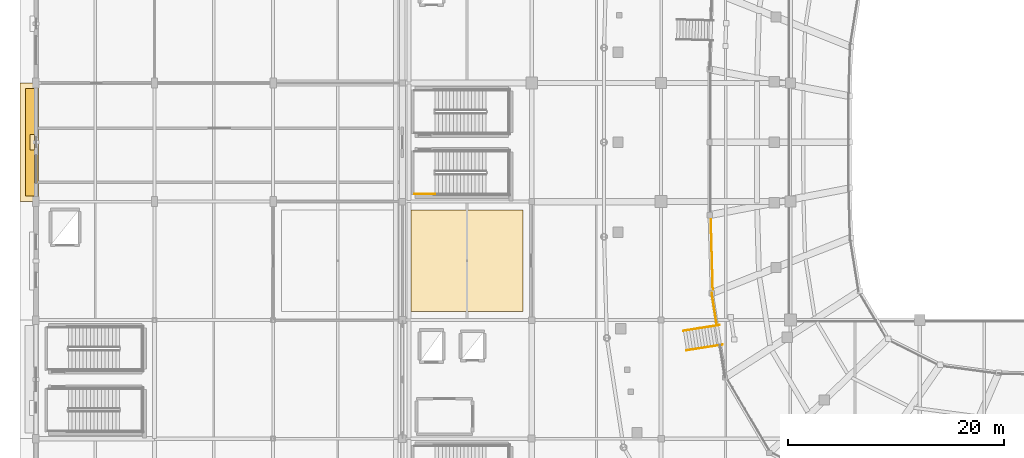
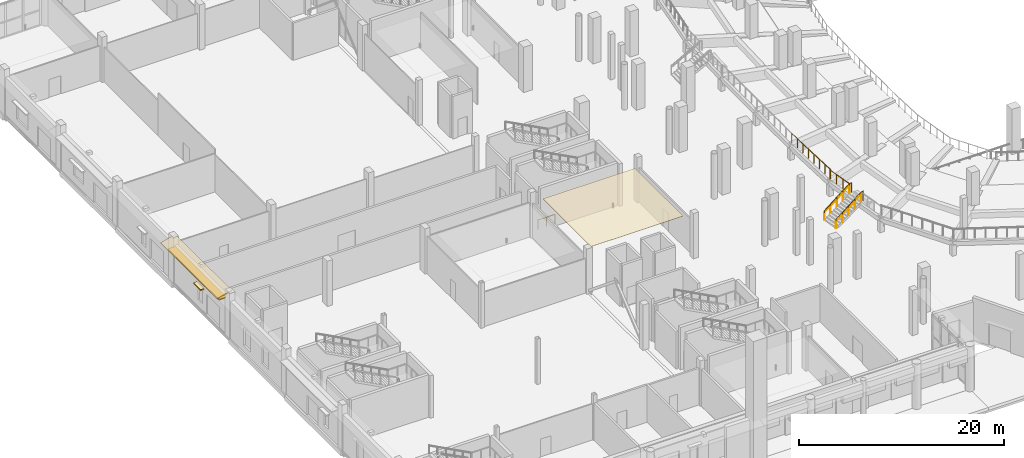
# One storey, part 99 of 120: 7 railings, 3 coverings, 1 shading device.
"""IFC4 building model written with IfcOpenShell, lengths in metres."""

import ifcopenshell
import ifcopenshell.guid

model = None  # the IFC model being written
_history = None  # IfcOwnerHistory: only IFC2X3 demands one
_inside = {}  # id of a spatial element -> (the spatial element, [elements in it])
_under = {}  # id of a project, library or spatial element -> (it, [spatial elements below it])
_declared = {}  # id of a project -> (the project, [libraries it declares])
_typed = {}  # id of a type object -> (the type object, [elements of that type])
_made_of = {}  # id of a material, layer set ... -> (it, [elements and type objects made of it])


def new_model(schema):
    """Start an empty IFC model of exactly this schema.

    Asked for "IFC4X3", IfcOpenShell would pick the latest addendum, in which some entities
    have other attributes; the version numbers below select the first issue.
    IFC2X3 requires an IfcOwnerHistory on every rooted entity: one is made here for all.
    """
    global model, _history
    if schema == "IFC4X3":
        model = ifcopenshell.file(schema_version=(4, 3, 0, 0))
    else:
        model = ifcopenshell.file(schema=schema)
    _inside.clear()
    _under.clear()
    _declared.clear()
    _typed.clear()
    _made_of.clear()
    _history = None
    if model.schema == "IFC2X3":
        org = make("IfcOrganization", Name="unknown")
        user = make(
            "IfcPersonAndOrganization",
            ThePerson=make("IfcPerson", FamilyName="unknown"),
            TheOrganization=org,
        )
        app = make(
            "IfcApplication",
            ApplicationDeveloper=org,
            Version="unknown",
            ApplicationFullName="unknown",
            ApplicationIdentifier="unknown",
        )
        _history = make(
            "IfcOwnerHistory",
            OwningUser=user,
            OwningApplication=app,
            ChangeAction="ADDED",
            CreationDate=0,
        )
    return model


def make(cls, **values):
    """One entity of the class cls with the attributes given. An attribute that is None is left unset."""
    return model.create_entity(
        cls, **{name: value for name, value in values.items() if value is not None}
    )


def rooted(cls, **values):
    """An entity with a GlobalId (a new one), such as an element, a storey or a relation."""
    return make(cls, GlobalId=ifcopenshell.guid.new(), OwnerHistory=_history, **values)


def si_unit(unit_type, name, prefix=None):
    """IfcSIUnit, for example si_unit("LENGTHUNIT", "METRE", prefix="MILLI")."""
    return make("IfcSIUnit", UnitType=unit_type, Prefix=prefix, Name=name)


def assignment(units):
    """IfcUnitAssignment: the units of a project."""
    return None if units is None else make("IfcUnitAssignment", Units=units)


def point(xyz):
    """IfcCartesianPoint."""
    return None if xyz is None else make("IfcCartesianPoint", Coordinates=xyz)


def direction(xyz):
    """IfcDirection."""
    return None if xyz is None else make("IfcDirection", DirectionRatios=xyz)


def frame(location, z_axis=None, x_axis=None):
    """IfcAxis2Placement3D, a coordinate frame: its origin and axes. An axis left out is left unset."""
    return make(
        "IfcAxis2Placement3D",
        Location=point(location),
        Axis=direction(z_axis),
        RefDirection=direction(x_axis),
    )


def frame_2d(location, x_axis=None):
    """IfcAxis2Placement2D, a coordinate frame in the plane: its origin and x axis."""
    return make(
        "IfcAxis2Placement2D", Location=point(location), RefDirection=direction(x_axis)
    )


def origin():
    """The frame at (0, 0, 0) with its axes left unset."""
    return frame((0.0, 0.0, 0.0))


def origin_2d():
    """The frame at (0, 0) in the plane with its x axis left unset."""
    return frame_2d((0.0, 0.0))


def place(relative_to, where):
    """IfcLocalPlacement: puts the frame where relative to a parent placement (None: the world)."""
    return make(
        "IfcLocalPlacement", PlacementRelTo=relative_to, RelativePlacement=where
    )


def context(
    kind, dimensions, precision=None, world=None, true_north=None, identifier=None
):
    """IfcGeometricRepresentationContext, for example the 3D "Model" context."""
    return make(
        "IfcGeometricRepresentationContext",
        ContextIdentifier=identifier,
        ContextType=kind,
        CoordinateSpaceDimension=dimensions,
        Precision=precision,
        WorldCoordinateSystem=world,
        TrueNorth=true_north,
    )


def subcontext(parent, identifier, kind, view, scale=None):
    """IfcGeometricRepresentationSubContext, for example "Body" below "Model"."""
    return make(
        "IfcGeometricRepresentationSubContext",
        ContextIdentifier=identifier,
        ContextType=kind,
        ParentContext=parent,
        TargetScale=scale,
        TargetView=view,
    )


def project(units=None, contexts=None):
    """IfcProject with its units and contexts."""
    return rooted(
        "IfcProject",
        Name="project",
        RepresentationContexts=contexts,
        UnitsInContext=assignment(units),
    )


def spatial(cls, under=None, at=None, **own):
    """A site, building, storey or space (cls), placed at a placement, below another one or the project."""
    s = rooted(cls, ObjectPlacement=at, **own)
    if under is not None:
        _under.setdefault(under.id(), (under, []))[1].append(s)
    return s


def polyline(points):
    """IfcPolyline through the points."""
    return make("IfcPolyline", Points=[point(p) for p in points])


def profile(cls, at=None, kind="AREA", **sizes):
    """A parametric profile (cls). Its sizes go by their IFC names, for example OverallWidth=200.0."""
    return make(cls, ProfileType=kind, Position=at, **sizes)


def rectangle(**sizes):
    """IfcRectangleProfileDef."""
    return profile("IfcRectangleProfileDef", **sizes)


def circle(**sizes):
    """IfcCircleProfileDef."""
    return profile("IfcCircleProfileDef", **sizes)


def outline(outer, holes=None, kind="AREA"):
    """IfcArbitraryClosedProfileDef: a profile drawn as a closed curve; with holes, ...WithVoids."""
    if holes is None:
        return make("IfcArbitraryClosedProfileDef", ProfileType=kind, OuterCurve=outer)
    return make(
        "IfcArbitraryProfileDefWithVoids",
        ProfileType=kind,
        OuterCurve=outer,
        InnerCurves=holes,
    )


def extrude(swept, where, along, depth):
    """IfcExtrudedAreaSolid: the profile swept, set in the frame where, extruded along a direction by depth."""
    return make(
        "IfcExtrudedAreaSolid",
        SweptArea=swept,
        Position=where,
        ExtrudedDirection=direction(along),
        Depth=depth,
    )


def shape(context_of_items, identifier, shape_type, items):
    """IfcShapeRepresentation: the items that make up one representation, for example the "Body"."""
    return make(
        "IfcShapeRepresentation",
        ContextOfItems=context_of_items,
        RepresentationIdentifier=identifier,
        RepresentationType=shape_type,
        Items=items,
    )


def material(Name=None, Category=None):
    """IfcMaterial."""
    return make("IfcMaterial", Name=Name, Category=Category)


def layer(
    of_material, thickness, ventilated=None, Name=None, Category=None, Priority=None
):
    """IfcMaterialLayer: one layer of a wall or slab, of a material (None: an air gap)."""
    return make(
        "IfcMaterialLayer",
        Material=of_material,
        LayerThickness=thickness,
        IsVentilated=ventilated,
        Name=Name,
        Category=Category,
        Priority=Priority,
    )


def layer_set(layers, Name=None):
    """IfcMaterialLayerSet."""
    return make("IfcMaterialLayerSet", MaterialLayers=layers, LayerSetName=Name)


def made_of(thing, what):
    """Note that an element or type object is made of a material, layer set ...; save() writes the relation."""
    if what is not None:
        _made_of.setdefault(what.id(), (what, []))[1].append(thing)
    return thing


def type_object(cls, material=None, **own):
    """A type object (cls), such as IfcWallType, which elements share."""
    return made_of(rooted(cls, **own), material)


def element(
    cls,
    number,
    at=None,
    inside=None,
    cuts=None,
    type_object=None,
    material=None,
    context=None,
    identifier="Body",
    shape_type=None,
    held_by="IfcProductDefinitionShape",
    body=None,
    shapes=None,
    **own,
):
    """One element of the class cls, such as IfcWall. Its Tag is "e" and its number.

    at: its placement. inside: the storey or other place that contains it. cuts: it is an
    opening in that element (IfcRelVoidsElement). A single representation is given by context,
    identifier, shape_type and body (its items); several are given by shapes. held_by: the class
    of the entity that holds the representations. save() writes the other relations.
    """
    e = rooted(cls, Tag="e%d" % number, ObjectPlacement=at, **own)
    if body is not None:
        shapes = [shape(context, identifier, shape_type, body)]
    if shapes is not None:
        e.Representation = make(held_by, Representations=shapes)
    if inside is not None:
        _inside.setdefault(inside.id(), (inside, []))[1].append(e)
    if cuts is not None:
        rooted(
            "IfcRelVoidsElement", RelatingBuildingElement=cuts, RelatedOpeningElement=e
        )
    if type_object is not None:
        _typed.setdefault(type_object.id(), (type_object, []))[1].append(e)
    return made_of(e, material)


def aggregate(whole, parts):
    """IfcRelAggregates: a whole, such as a stair, and the parts it consists of."""
    return rooted("IfcRelAggregates", RelatingObject=whole, RelatedObjects=parts)


def save(model, path):
    """Write the relations noted so far, then the file.

    IfcRelAggregates (storeys below a building ...), IfcRelContainedInSpatialStructure (elements
    in a storey), IfcRelDefinesByType, IfcRelAssociatesMaterial and IfcRelDeclares: one each for
    every whole, place, type object, material and project.
    """
    for whole, parts in _under.values():
        aggregate(whole, parts)
    for where, things in _inside.values():
        rooted(
            "IfcRelContainedInSpatialStructure",
            RelatedElements=things,
            RelatingStructure=where,
        )
    for kind, things in _typed.values():
        rooted("IfcRelDefinesByType", RelatedObjects=things, RelatingType=kind)
    for what, things in _made_of.values():
        rooted("IfcRelAssociatesMaterial", RelatedObjects=things, RelatingMaterial=what)
    for by, libraries in _declared.values():
        rooted("IfcRelDeclares", RelatingContext=by, RelatedDefinitions=libraries)
    model.write(path)


model = new_model("IFC4")

# Units and contexts
model_context = context("Model", 3, precision=1e-05, world=origin(), true_north=direction((0.0, 1.0)))
body_context = subcontext(model_context, "Body", "Model", "MODEL_VIEW")
ifc_project = project(units=[si_unit("LENGTHUNIT", "METRE"), si_unit("AREAUNIT", "SQUARE_METRE"), si_unit("VOLUMEUNIT", "CUBIC_METRE"), si_unit("PLANEANGLEUNIT", "RADIAN"), si_unit("MASSUNIT", "GRAM", prefix="KILO")], contexts=[model_context])

# Site, building, storey
site_placement = place(None, origin())
site = spatial("IfcSite", under=ifc_project, at=site_placement, CompositionType="ELEMENT")
building_placement = place(site_placement, origin())
building = spatial("IfcBuilding", under=site, at=building_placement, Name="Luwafu Chhajja Arena", CompositionType="ELEMENT")
storey_placement = place(building_placement, origin())
storey = spatial("IfcBuildingStorey", under=building, at=storey_placement, Name="L00", CompositionType="ELEMENT", Elevation=0.0)

# Railings
ifc_material_1 = material(Name="Stainless steel balustrade", Category="steel")
railing_type_1 = type_object("IfcRailingType", Name="Atrium Void Glazed Balustrade 1150", PredefinedType="BALUSTRADE", material=ifc_material_1)
railing_1_placement = place(storey_placement, frame((60.360107421875, 30.19140625, 0.0)))
element("IfcRailing", 1, at=railing_1_placement, inside=storey, type_object=railing_type_1, Name="L00 Vomitory VM-05 Guard L", PredefinedType="BALUSTRADE", context=body_context, shape_type="SweptSolid", body=[
    extrude(circle(Radius=0.02392578125, at=origin_2d()), frame((0.0, 0.0, 1.1259765625), z_axis=(0.851506711029, 0.133553936446, 0.507049965125), x_axis=(-0.15494994154, 0.987922322663, 0.0)), (0.0, 0.0, 1.0), 3.648681640625),
    extrude(circle(Radius=0.02392578125, at=origin_2d()), frame((3.10693359375, 0.4873046875, 2.97607421875), z_axis=(0.98803064077, 0.154257748263, 0.0), x_axis=(-0.154257748263, 0.98803064077, 0.0)), (0.0, 0.0, 1.0), 0.25),
    extrude(circle(Radius=0.02099609375, at=origin_2d()), origin(), (0.0, 0.0, 1.0), 1.101806640625),
    extrude(circle(Radius=0.02099609375, at=origin_2d()), frame((0.77685546875, 0.121826171875, 0.46240234375)), (0.0, 0.0, 1.0), 1.101806640625),
    extrude(circle(Radius=0.02099609375, at=origin_2d()), frame((1.553466796875, 0.24365234375, 0.925048828125)), (0.0, 0.0, 1.0), 1.101806640625),
    extrude(circle(Radius=0.02099609375, at=origin_2d()), frame((2.330078125, 0.365478515625, 1.3876953125)), (0.0, 0.0, 1.0), 1.101806640625),
    extrude(circle(Radius=0.02099609375, at=origin_2d()), frame((3.10693359375, 0.4873046875, 1.85009765625)), (0.0, 0.0, 1.0), 1.101806640625),
    extrude(circle(Radius=0.02099609375, at=origin_2d()), frame((3.35400390625, 0.52587890625, 1.85009765625)), (0.0, 0.0, 1.0), 1.101806640625),
])
railing_2_placement = place(storey_placement, frame((60.0751953125, 32.00927734375, 0.0)))
element("IfcRailing", 2, at=railing_2_placement, inside=storey, type_object=railing_type_1, Name="L00 Vomitory VM-05 Guard R", PredefinedType="BALUSTRADE", context=body_context, shape_type="SweptSolid", body=[
    extrude(circle(Radius=0.02392578125, at=origin_2d()), frame((0.0, 0.0, 1.1259765625), z_axis=(0.851506711029, 0.133553936446, 0.507049965125), x_axis=(-0.15494994154, 0.987922322663, 0.0)), (0.0, 0.0, 1.0), 3.648681640625),
    extrude(circle(Radius=0.02392578125, at=origin_2d()), frame((3.10693359375, 0.4873046875, 2.97607421875), z_axis=(0.988007375258, 0.154406691682, 0.0), x_axis=(-0.154406691682, 0.988007375258, 0.0)), (0.0, 0.0, 1.0), 0.249755859375),
    extrude(circle(Radius=0.02099609375, at=origin_2d()), origin(), (0.0, 0.0, 1.0), 1.101806640625),
    extrude(circle(Radius=0.02099609375, at=origin_2d()), frame((0.77685546875, 0.121826171875, 0.46240234375)), (0.0, 0.0, 1.0), 1.101806640625),
    extrude(circle(Radius=0.02099609375, at=origin_2d()), frame((1.553466796875, 0.24365234375, 0.925048828125)), (0.0, 0.0, 1.0), 1.101806640625),
    extrude(circle(Radius=0.02099609375, at=origin_2d()), frame((2.330078125, 0.365478515625, 1.3876953125)), (0.0, 0.0, 1.0), 1.101806640625),
    extrude(circle(Radius=0.02099609375, at=origin_2d()), frame((3.10693359375, 0.4873046875, 1.85009765625)), (0.0, 0.0, 1.0), 1.101806640625),
    extrude(circle(Radius=0.02099609375, at=origin_2d()), frame((3.353759765625, 0.52587890625, 1.85009765625)), (0.0, 0.0, 1.0), 1.101806640625),
])
railing_3_placement = place(storey_placement, frame((63.18212890625, 32.49658203125, 1.85009765625)))
element("IfcRailing", 3, at=railing_3_placement, inside=storey, type_object=railing_type_1, Name="L00 Vomitory VM-05 Wing Guard R", PredefinedType="BALUSTRADE", context=body_context, shape_type="SweptSolid", body=[
    extrude(circle(Radius=0.02392578125, at=origin_2d()), frame((0.0, 0.0, 1.1259765625), z_axis=(-0.154996984564, 0.987914943088, 0.0), x_axis=(-0.987914943088, -0.154996984564, 0.0)), (0.0, 0.0, 1.0), 3.038330078125),
    extrude(circle(Radius=0.02099609375, at=origin_2d()), origin(), (0.0, 0.0, 1.0), 1.101806640625),
    extrude(circle(Radius=0.02099609375, at=origin_2d()), frame((-0.156982421875, 1.00048828125, 0.0)), (0.0, 0.0, 1.0), 1.101806640625),
    extrude(circle(Radius=0.02099609375, at=origin_2d()), frame((-0.31396484375, 2.001220703125, 0.0)), (0.0, 0.0, 1.0), 1.101806640625),
    extrude(circle(Radius=0.02099609375, at=origin_2d()), frame((-0.470947265625, 3.001708984375, 0.0)), (0.0, 0.0, 1.0), 1.101806640625),
])

# Coverings
ifc_material_2 = material(Name="Red laterite sandstone cladding", Category="masonry")
ifc_layer_1 = layer(ifc_material_2, 0.074951171875, Name="Red laterite sandstone cladding")
ifc_layer_set_1 = layer_set([ifc_layer_1], Name="Red laterite sandstone cladding")
covering_type_1 = type_object("IfcCoveringType", Name="Dressed Red-Laterite Sandstone Cladding", PredefinedType="CLADDING", material=ifc_layer_set_1)
covering_1_placement = place(storey_placement, frame((0.199951171875, 44.0, 5.360107421875), z_axis=(-0.242635142566, 0.0, 0.970117615339), x_axis=(0.0, 1.0, 0.0)))
element("IfcCovering", 4, at=covering_1_placement, inside=storey, type_object=covering_type_1, Name="L00 Continuous Sloped Sandstone Chhajja Eave 0006", PredefinedType="CLADDING", context=body_context, shape_type="SweptSolid", body=[
    extrude(outline(polyline([(0.0, 0.0), (11.0, 0.0), (11.0, 1.7316783182390405), (0.0, 1.7316783182390405), (0.0, 0.0)])), origin(), (0.0, 0.0, -1.0), 0.1298828125),
])
covering_2_placement = place(storey_placement, frame((-0.340087890625, 49.5, 2.6298828125), z_axis=(0.0, 0.0, 1.0), x_axis=(0.0, 1.0, 0.0)))
element("IfcCovering", 5, at=covering_2_placement, inside=storey, type_object=covering_type_1, Name="L00 Mughal Sandstone Window Chhajja Hood 0145", PredefinedType="CLADDING", context=body_context, shape_type="SweptSolid", body=[
    extrude(rectangle(XDim=1.39990234375, YDim=0.419921875, at=origin_2d()), origin(), (0.0, 0.0, 1.0), 0.139892578125),
])
ifc_material_3 = material(Name="Acoustic gypsum ceiling board")
ifc_layer_2 = layer(ifc_material_3, 0.0400390625, Name="Acoustic gypsum ceiling board")
ifc_layer_set_2 = layer_set([ifc_layer_2], Name="Acoustic gypsum ceiling board")
covering_type_2 = type_object("IfcCoveringType", Name="Perforated Acoustic Baffle Ceiling", PredefinedType="CEILING", material=ifc_layer_set_2)
covering_3_placement = place(storey_placement, frame((0.0, 0.0, 4.581298828125)))
element("IfcCovering", 6, at=covering_3_placement, inside=storey, type_object=covering_type_2, Name="L00 Acoustic Baffle Ceiling 005", PredefinedType="CEILING", context=body_context, shape_type="SweptSolid", body=[
    extrude(outline(polyline([(34.800048828125, 33.800048828125), (45.199951171875, 33.800048828125), (45.199951171875, 43.199951171875), (34.800048828125, 43.199951171875), (34.800048828125, 33.800048828125)])), origin(), (0.0, 0.0, 1.0), 0.0400390625),
])

# Railing
railing_type_2 = type_object("IfcRailingType", Name="Seating Bowl Sightline Barrier 1100", PredefinedType="BALUSTRADE", material=ifc_material_1)
railing_4_placement = place(storey_placement, frame((62.60986328125, 42.7587890625, 1.85009765625)))
element("IfcRailing", 7, at=railing_4_placement, inside=storey, type_object=railing_type_2, Name="L00 Lower Tier Rear Barrier 0110", PredefinedType="BALUSTRADE", context=body_context, shape_type="SweptSolid", body=[
    extrude(circle(Radius=0.02392578125, at=origin_2d()), frame((0.0, 0.0, 1.09619140625), z_axis=(0.027820548658, -0.999612933626, 0.0), x_axis=(0.999612933626, 0.027820548658, 0.0)), (0.0, 0.0, 1.0), 7.22216796875),
    extrude(circle(Radius=0.02099609375, at=origin_2d()), origin(), (0.0, 0.0, 1.0), 1.072021484375),
    extrude(circle(Radius=0.02099609375, at=origin_2d()), frame((0.02880859375, -1.03125, 0.0)), (0.0, 0.0, 1.0), 1.072021484375),
    extrude(circle(Radius=0.02099609375, at=origin_2d()), frame((0.057373046875, -2.062744140625, 0.0)), (0.0, 0.0, 1.0), 1.072021484375),
    extrude(circle(Radius=0.02099609375, at=origin_2d()), frame((0.086181640625, -3.093994140625, 0.0)), (0.0, 0.0, 1.0), 1.072021484375),
    extrude(circle(Radius=0.02099609375, at=origin_2d()), frame((0.11474609375, -4.12548828125, 0.0)), (0.0, 0.0, 1.0), 1.072021484375),
    extrude(circle(Radius=0.02099609375, at=origin_2d()), frame((0.1435546875, -5.15673828125, 0.0)), (0.0, 0.0, 1.0), 1.072021484375),
    extrude(circle(Radius=0.02099609375, at=origin_2d()), frame((0.172119140625, -6.188232421875, 0.0)), (0.0, 0.0, 1.0), 1.072021484375),
    extrude(circle(Radius=0.02099609375, at=origin_2d()), frame((0.200927734375, -7.219482421875, 0.0)), (0.0, 0.0, 1.0), 1.072021484375),
])

# Shading device
ifc_material_4 = material(Name="Red laterite sandstone chhajja", Category="masonry")
ifc_layer_3 = layer(ifc_material_4, 0.1201171875, Name="Red laterite sandstone chhajja")
ifc_layer_set_3 = layer_set([ifc_layer_3], Name="Red laterite sandstone chhajja")
shading_device_type = type_object("IfcShadingDeviceType", Name="Sloped Red-Sandstone Chhajja Eave", PredefinedType="USERDEFINED", material=ifc_layer_set_3)
shading_device_placement = place(storey_placement, frame((-0.5400390625, 49.5, 4.22998046875), z_axis=(0.0, 0.0, 1.0), x_axis=(0.0, 1.0, 0.0)))
element("IfcShadingDevice", 8, at=shading_device_placement, inside=storey, type_object=shading_device_type, Name="L00 Sloped Red-Sandstone Chhajja Eave 004", ObjectType="CHHAJJA", PredefinedType="USERDEFINED", context=body_context, shape_type="SweptSolid", body=[
    extrude(rectangle(XDim=9.9599609375, YDim=0.820068359375, at=origin_2d()), origin(), (0.0, 0.0, 1.0), 0.1201171875),
])

# Railings
ifc_material_5 = material(Name="Stainless steel handrail", Category="steel")
railing_type_3 = type_object("IfcRailingType", Name="Stair Pitch Wall Handrail 920", PredefinedType="HANDRAIL", material=ifc_material_5)
for number, where, name in (
    (9, (60.360107421875, 30.19140625, 0.0), "L00 Vomitory VM-05 Handrail L"),
    (10, (60.0751953125, 32.00927734375, 0.0), "L00 Vomitory VM-05 Handrail R"),
):
    element("IfcRailing", number, at=place(storey_placement, frame(where)), inside=storey, type_object=railing_type_3, Name=name, PredefinedType="HANDRAIL", context=body_context, shape_type="SweptSolid", body=[
        extrude(circle(Radius=0.02392578125, at=origin_2d()), frame((0.0, 0.0, 0.89599609375), z_axis=(0.851506711029, 0.133553936446, 0.507049965125), x_axis=(-0.15494994154, 0.987922322663, 0.0)), (0.0, 0.0, 1.0), 3.648681640625),
        extrude(circle(Radius=0.02099609375, at=origin_2d()), origin(), (0.0, 0.0, 1.0), 0.871826171875),
        extrude(circle(Radius=0.02099609375, at=origin_2d()), frame((0.77685546875, 0.121826171875, 0.46240234375)), (0.0, 0.0, 1.0), 0.871826171875),
        extrude(circle(Radius=0.02099609375, at=origin_2d()), frame((1.553466796875, 0.24365234375, 0.925048828125)), (0.0, 0.0, 1.0), 0.871826171875),
        extrude(circle(Radius=0.02099609375, at=origin_2d()), frame((2.330078125, 0.365478515625, 1.3876953125)), (0.0, 0.0, 1.0), 0.871826171875),
        extrude(circle(Radius=0.02099609375, at=origin_2d()), frame((3.10693359375, 0.4873046875, 1.85009765625)), (0.0, 0.0, 1.0), 0.871826171875),
    ])
railing_type_4 = type_object("IfcRailingType", Name="Stair and Terrace Guard Balustrade 1100", PredefinedType="BALUSTRADE", material=ifc_material_1)
railing_5_placement = place(storey_placement, frame((35.10009765625, 44.699951171875, 0.0)))
element("IfcRailing", 11, at=railing_5_placement, inside=storey, type_object=railing_type_4, Name="L00 ST-09 stair guard 8", PredefinedType="BALUSTRADE", context=body_context, shape_type="SweptSolid", body=[
    extrude(circle(Radius=0.02392578125, at=origin_2d()), frame((0.0, 0.0, 1.076171875), z_axis=(1.0, 0.0, 0.0), x_axis=(0.0, 1.0, 0.0)), (0.0, 0.0, 1.0), 1.919921875),
    extrude(circle(Radius=0.02099609375, at=origin_2d()), origin(), (0.0, 0.0, 1.0), 1.052001953125),
    extrude(circle(Radius=0.02099609375, at=origin_2d()), frame((0.9599609375, 0.0, 0.0)), (0.0, 0.0, 1.0), 1.052001953125),
    extrude(circle(Radius=0.02099609375, at=origin_2d()), frame((1.919921875, 0.0, 0.0)), (0.0, 0.0, 1.0), 1.052001953125),
])

save(model, "model.ifc")
